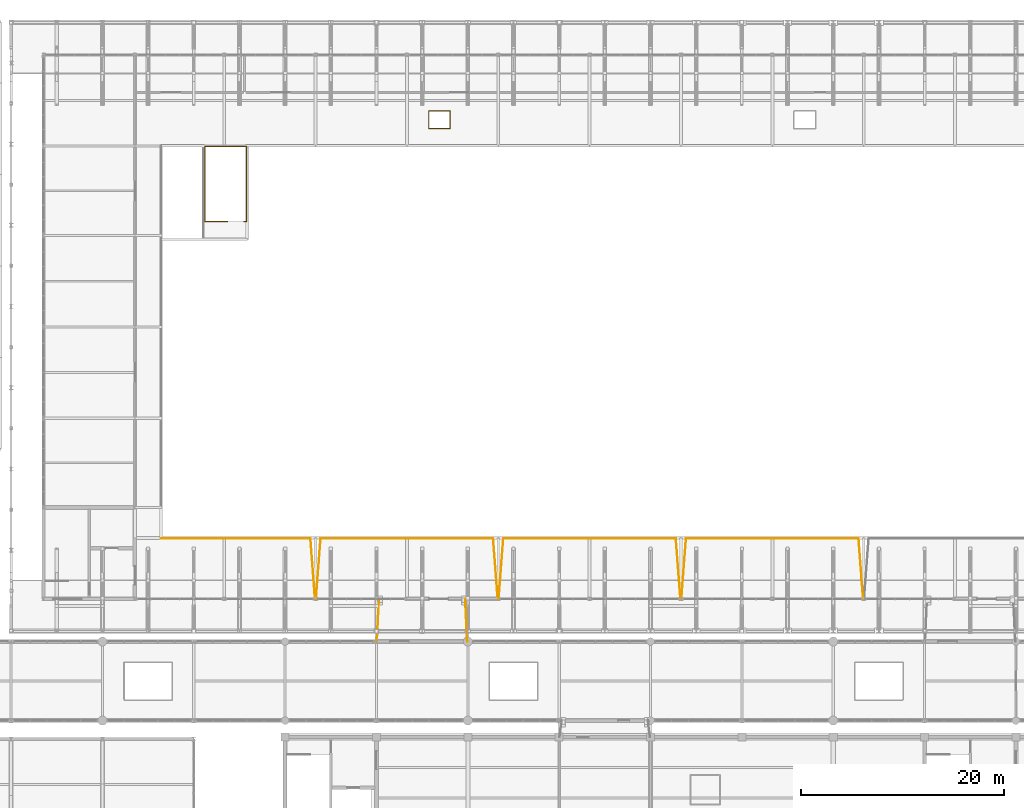
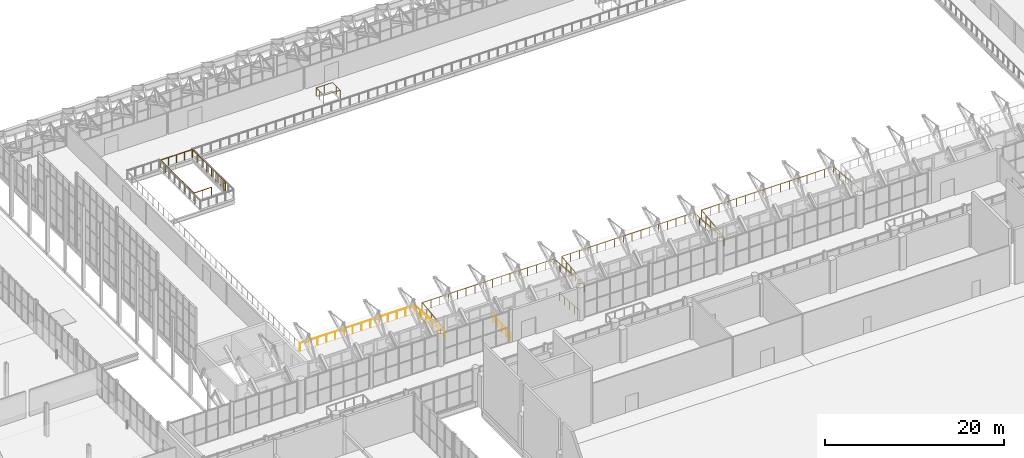
# One storey, part 132 of 134: 8 railings.
"""IFC4 building model written with IfcOpenShell, lengths in metres."""

from ifc_helpers import new_model, si_unit, direction, frame, origin, origin_2d, place, context, subcontext, project, spatial, circle, extrude, material, type_object, element, save


model = new_model("IFC4")

# Units and contexts
model_context = context("Model", 3, precision=1e-05, world=origin(), true_north=direction((0.0, 1.0)))
body_context = subcontext(model_context, "Body", "Model", "MODEL_VIEW")
ifc_project = project(units=[si_unit("LENGTHUNIT", "METRE"), si_unit("AREAUNIT", "SQUARE_METRE"), si_unit("VOLUMEUNIT", "CUBIC_METRE"), si_unit("PLANEANGLEUNIT", "RADIAN"), si_unit("MASSUNIT", "GRAM", prefix="KILO")], contexts=[model_context])

# Site, building, storey
site_placement = place(None, origin())
site = spatial("IfcSite", under=ifc_project, at=site_placement, CompositionType="ELEMENT")
building_placement = place(site_placement, origin())
building = spatial("IfcBuilding", under=site, at=building_placement, Name="Cazmaro Siding Exhibition Halls", CompositionType="ELEMENT")
storey_placement = place(building_placement, frame((0.0, 0.0, 12.0)))
storey = spatial("IfcBuildingStorey", under=building, at=storey_placement, Name="L02", CompositionType="ELEMENT", Elevation=12.0)

# Railings
ifc_material_1 = material(Name="Laminated Glass and Brushed Stainless Steel Balustrade", Category="steel")
railing_type_1 = type_object("IfcRailingType", Name="RL-BAL-01", PredefinedType="BALUSTRADE", material=ifc_material_1)
railing_1_placement = place(storey_placement, frame((81.050048828125, 63.0, 0.0)))
element("IfcRailing", 1, at=railing_1_placement, inside=storey, type_object=railing_type_1, Name="Bridge SB-01 West Guard L02 RL-BAL-01 RL-G041", PredefinedType="BALUSTRADE", context=body_context, shape_type="SweptSolid", body=[
    extrude(circle(Radius=0.02392578125, at=origin_2d()), frame((0.0, 0.0, 1.09619140625), z_axis=(0.047554114695, 0.998868663126, 0.0), x_axis=(-0.998868663126, 0.047554114695, 0.0)), (0.0, 0.0, 1.0), 4.20458984375),
    extrude(circle(Radius=0.02099609375, at=origin_2d()), origin(), (0.0, 0.0, 1.0), 1.072021484375),
    extrude(circle(Radius=0.02099609375, at=origin_2d()), frame((0.050048828125, 1.050048828125, 0.0)), (0.0, 0.0, 1.0), 1.072021484375),
    extrude(circle(Radius=0.02099609375, at=origin_2d()), frame((0.10009765625, 2.10009765625, 0.0)), (0.0, 0.0, 1.0), 1.072021484375),
    extrude(circle(Radius=0.02099609375, at=origin_2d()), frame((0.14990234375, 3.14990234375, 0.0)), (0.0, 0.0, 1.0), 1.072021484375),
    extrude(circle(Radius=0.02099609375, at=origin_2d()), frame((0.199951171875, 4.199951171875, 0.0)), (0.0, 0.0, 1.0), 1.072021484375),
])
railing_2_placement = place(storey_placement, frame((89.949951171875, 63.0, 0.0)))
element("IfcRailing", 2, at=railing_2_placement, inside=storey, type_object=railing_type_1, Name="Bridge SB-01 East Guard L02 RL-BAL-01 RL-G042", PredefinedType="BALUSTRADE", context=body_context, shape_type="SweptSolid", body=[
    extrude(circle(Radius=0.02392578125, at=origin_2d()), frame((0.0, 0.0, 1.09619140625), z_axis=(-0.047554114695, 0.998868663126, 0.0), x_axis=(-0.998868663126, -0.047554114695, 0.0)), (0.0, 0.0, 1.0), 4.20458984375),
    extrude(circle(Radius=0.02099609375, at=origin_2d()), origin(), (0.0, 0.0, 1.0), 1.072021484375),
    extrude(circle(Radius=0.02099609375, at=origin_2d()), frame((-0.050048828125, 1.050048828125, 0.0)), (0.0, 0.0, 1.0), 1.072021484375),
    extrude(circle(Radius=0.02099609375, at=origin_2d()), frame((-0.10009765625, 2.10009765625, 0.0)), (0.0, 0.0, 1.0), 1.072021484375),
    extrude(circle(Radius=0.02099609375, at=origin_2d()), frame((-0.14990234375, 3.14990234375, 0.0)), (0.0, 0.0, 1.0), 1.072021484375),
    extrude(circle(Radius=0.02099609375, at=origin_2d()), frame((-0.199951171875, 4.199951171875, 0.0)), (0.0, 0.0, 1.0), 1.072021484375),
])
ifc_material_2 = material(Name="Interior Laminated Glass and Brushed Stainless Steel Balustrade", Category="steel")
railing_type_2 = type_object("IfcRailingType", Name="RL-BAL-02", PredefinedType="BALUSTRADE", material=ifc_material_2)
railing_3_placement = place(storey_placement, frame((59.75, 73.14990234375, 0.0)))
element("IfcRailing", 3, at=railing_3_placement, inside=storey, type_object=railing_type_2, Name="Hall A South Catwalk Guard L02 RL-BAL-02 RL-G033", PredefinedType="BALUSTRADE", context=body_context, shape_type="SweptSolid", body=[
    extrude(circle(Radius=0.02392578125, at=origin_2d()), frame((0.0, 0.0, 1.09619140625), z_axis=(1.0, 0.0, 0.0), x_axis=(0.0, 1.0, 0.0)), (0.0, 0.0, 1.0), 14.75),
    extrude(circle(Radius=0.02392578125, at=origin_2d()), frame((14.75, 0.0, 1.09619140625), z_axis=(0.076043350844, -0.997104512472, 0.0), x_axis=(0.997104512472, 0.076043350844, 0.0)), (0.0, 0.0, 1.0), 5.9169921875),
    extrude(circle(Radius=0.02099609375, at=origin_2d()), origin(), (0.0, 0.0, 1.0), 1.072021484375),
    extrude(circle(Radius=0.02099609375, at=origin_2d()), frame((1.134521484375, 0.0, 0.0)), (0.0, 0.0, 1.0), 1.072021484375),
    extrude(circle(Radius=0.02099609375, at=origin_2d()), frame((2.269287109375, 0.0, 0.0)), (0.0, 0.0, 1.0), 1.072021484375),
    extrude(circle(Radius=0.02099609375, at=origin_2d()), frame((3.40380859375, 0.0, 0.0)), (0.0, 0.0, 1.0), 1.072021484375),
    extrude(circle(Radius=0.02099609375, at=origin_2d()), frame((4.53857421875, 0.0, 0.0)), (0.0, 0.0, 1.0), 1.072021484375),
    extrude(circle(Radius=0.02099609375, at=origin_2d()), frame((5.673095703125, 0.0, 0.0)), (0.0, 0.0, 1.0), 1.072021484375),
    extrude(circle(Radius=0.02099609375, at=origin_2d()), frame((6.8076171875, 0.0, 0.0)), (0.0, 0.0, 1.0), 1.072021484375),
    extrude(circle(Radius=0.02099609375, at=origin_2d()), frame((7.9423828125, 0.0, 0.0)), (0.0, 0.0, 1.0), 1.072021484375),
    extrude(circle(Radius=0.02099609375, at=origin_2d()), frame((9.076904296875, 0.0, 0.0)), (0.0, 0.0, 1.0), 1.072021484375),
    extrude(circle(Radius=0.02099609375, at=origin_2d()), frame((10.21142578125, 0.0, 0.0)), (0.0, 0.0, 1.0), 1.072021484375),
    extrude(circle(Radius=0.02099609375, at=origin_2d()), frame((11.34619140625, 0.0, 0.0)), (0.0, 0.0, 1.0), 1.072021484375),
    extrude(circle(Radius=0.02099609375, at=origin_2d()), frame((12.480712890625, 0.0, 0.0)), (0.0, 0.0, 1.0), 1.072021484375),
    extrude(circle(Radius=0.02099609375, at=origin_2d()), frame((13.615478515625, 0.0, 0.0)), (0.0, 0.0, 1.0), 1.072021484375),
    extrude(circle(Radius=0.02099609375, at=origin_2d()), frame((14.75, 0.0, 0.0)), (0.0, 0.0, 1.0), 1.072021484375),
    extrude(circle(Radius=0.02099609375, at=origin_2d()), frame((14.840087890625, -1.179931640625, 0.0)), (0.0, 0.0, 1.0), 1.072021484375),
    extrude(circle(Radius=0.02099609375, at=origin_2d()), frame((14.929931640625, -2.35986328125, 0.0)), (0.0, 0.0, 1.0), 1.072021484375),
    extrude(circle(Radius=0.02099609375, at=origin_2d()), frame((15.02001953125, -3.5400390625, 0.0)), (0.0, 0.0, 1.0), 1.072021484375),
    extrude(circle(Radius=0.02099609375, at=origin_2d()), frame((15.10986328125, -4.719970703125, 0.0)), (0.0, 0.0, 1.0), 1.072021484375),
    extrude(circle(Radius=0.02099609375, at=origin_2d()), frame((15.199951171875, -5.89990234375, 0.0)), (0.0, 0.0, 1.0), 1.072021484375),
])
railing_4_placement = place(storey_placement, frame((75.050048828125, 67.25, 0.0)))
element("IfcRailing", 4, at=railing_4_placement, inside=storey, type_object=railing_type_2, Name="Hall A South Catwalk Guard L02 RL-BAL-02 RL-G034", PredefinedType="BALUSTRADE", context=body_context, shape_type="SweptSolid", body=[
    extrude(circle(Radius=0.02392578125, at=origin_2d()), frame((0.0, 0.0, 1.09619140625), z_axis=(0.076043350844, 0.997104512472, 0.0), x_axis=(-0.997104512472, 0.076043350844, 0.0)), (0.0, 0.0, 1.0), 5.9169921875),
    extrude(circle(Radius=0.02392578125, at=origin_2d()), frame((0.449951171875, 5.89990234375, 1.09619140625), z_axis=(1.0, 0.0, 0.0), x_axis=(0.0, 1.0, 0.0)), (0.0, 0.0, 1.0), 17.0),
    extrude(circle(Radius=0.02392578125, at=origin_2d()), frame((17.449951171875, 5.89990234375, 1.09619140625), z_axis=(0.076043350844, -0.997104512472, 0.0), x_axis=(0.997104512472, 0.076043350844, 0.0)), (0.0, 0.0, 1.0), 5.9169921875),
    extrude(circle(Radius=0.02099609375, at=origin_2d()), origin(), (0.0, 0.0, 1.0), 1.072021484375),
    extrude(circle(Radius=0.02099609375, at=origin_2d()), frame((0.090087890625, 1.179931640625, 0.0)), (0.0, 0.0, 1.0), 1.072021484375),
    extrude(circle(Radius=0.02099609375, at=origin_2d()), frame((0.179931640625, 2.35986328125, 0.0)), (0.0, 0.0, 1.0), 1.072021484375),
    extrude(circle(Radius=0.02099609375, at=origin_2d()), frame((0.27001953125, 3.5400390625, 0.0)), (0.0, 0.0, 1.0), 1.072021484375),
    extrude(circle(Radius=0.02099609375, at=origin_2d()), frame((0.35986328125, 4.719970703125, 0.0)), (0.0, 0.0, 1.0), 1.072021484375),
    extrude(circle(Radius=0.02099609375, at=origin_2d()), frame((0.449951171875, 5.89990234375, 0.0)), (0.0, 0.0, 1.0), 1.072021484375),
    extrude(circle(Radius=0.02099609375, at=origin_2d()), frame((1.583251953125, 5.89990234375, 0.0)), (0.0, 0.0, 1.0), 1.072021484375),
    extrude(circle(Radius=0.02099609375, at=origin_2d()), frame((2.716552734375, 5.89990234375, 0.0)), (0.0, 0.0, 1.0), 1.072021484375),
    extrude(circle(Radius=0.02099609375, at=origin_2d()), frame((3.849853515625, 5.89990234375, 0.0)), (0.0, 0.0, 1.0), 1.072021484375),
    extrude(circle(Radius=0.02099609375, at=origin_2d()), frame((4.9833984375, 5.89990234375, 0.0)), (0.0, 0.0, 1.0), 1.072021484375),
    extrude(circle(Radius=0.02099609375, at=origin_2d()), frame((6.11669921875, 5.89990234375, 0.0)), (0.0, 0.0, 1.0), 1.072021484375),
    extrude(circle(Radius=0.02099609375, at=origin_2d()), frame((7.25, 5.89990234375, 0.0)), (0.0, 0.0, 1.0), 1.072021484375),
    extrude(circle(Radius=0.02099609375, at=origin_2d()), frame((8.38330078125, 5.89990234375, 0.0)), (0.0, 0.0, 1.0), 1.072021484375),
    extrude(circle(Radius=0.02099609375, at=origin_2d()), frame((9.5166015625, 5.89990234375, 0.0)), (0.0, 0.0, 1.0), 1.072021484375),
    extrude(circle(Radius=0.02099609375, at=origin_2d()), frame((10.64990234375, 5.89990234375, 0.0)), (0.0, 0.0, 1.0), 1.072021484375),
    extrude(circle(Radius=0.02099609375, at=origin_2d()), frame((11.783203125, 5.89990234375, 0.0)), (0.0, 0.0, 1.0), 1.072021484375),
    extrude(circle(Radius=0.02099609375, at=origin_2d()), frame((12.91650390625, 5.89990234375, 0.0)), (0.0, 0.0, 1.0), 1.072021484375),
    extrude(circle(Radius=0.02099609375, at=origin_2d()), frame((14.050048828125, 5.89990234375, 0.0)), (0.0, 0.0, 1.0), 1.072021484375),
    extrude(circle(Radius=0.02099609375, at=origin_2d()), frame((15.183349609375, 5.89990234375, 0.0)), (0.0, 0.0, 1.0), 1.072021484375),
    extrude(circle(Radius=0.02099609375, at=origin_2d()), frame((16.316650390625, 5.89990234375, 0.0)), (0.0, 0.0, 1.0), 1.072021484375),
    extrude(circle(Radius=0.02099609375, at=origin_2d()), frame((17.449951171875, 5.89990234375, 0.0)), (0.0, 0.0, 1.0), 1.072021484375),
    extrude(circle(Radius=0.02099609375, at=origin_2d()), frame((17.5400390625, 4.719970703125, 0.0)), (0.0, 0.0, 1.0), 1.072021484375),
    extrude(circle(Radius=0.02099609375, at=origin_2d()), frame((17.6298828125, 3.5400390625, 0.0)), (0.0, 0.0, 1.0), 1.072021484375),
    extrude(circle(Radius=0.02099609375, at=origin_2d()), frame((17.719970703125, 2.35986328125, 0.0)), (0.0, 0.0, 1.0), 1.072021484375),
    extrude(circle(Radius=0.02099609375, at=origin_2d()), frame((17.809814453125, 1.179931640625, 0.0)), (0.0, 0.0, 1.0), 1.072021484375),
    extrude(circle(Radius=0.02099609375, at=origin_2d()), frame((17.89990234375, 0.0, 0.0)), (0.0, 0.0, 1.0), 1.072021484375),
])
railing_5_placement = place(storey_placement, frame((93.050048828125, 67.25, 0.0)))
element("IfcRailing", 5, at=railing_5_placement, inside=storey, type_object=railing_type_2, Name="Hall A South Catwalk Guard L02 RL-BAL-02 RL-G035", PredefinedType="BALUSTRADE", context=body_context, shape_type="SweptSolid", body=[
    extrude(circle(Radius=0.02392578125, at=origin_2d()), frame((0.0, 0.0, 1.09619140625), z_axis=(0.076043350844, 0.997104512472, 0.0), x_axis=(-0.997104512472, 0.076043350844, 0.0)), (0.0, 0.0, 1.0), 5.9169921875),
    extrude(circle(Radius=0.02392578125, at=origin_2d()), frame((0.449951171875, 5.89990234375, 1.09619140625), z_axis=(1.0, 0.0, 0.0), x_axis=(0.0, 1.0, 0.0)), (0.0, 0.0, 1.0), 17.0),
    extrude(circle(Radius=0.02392578125, at=origin_2d()), frame((17.449951171875, 5.89990234375, 1.09619140625), z_axis=(0.076043350844, -0.997104512472, 0.0), x_axis=(0.997104512472, 0.076043350844, 0.0)), (0.0, 0.0, 1.0), 5.9169921875),
    extrude(circle(Radius=0.02099609375, at=origin_2d()), origin(), (0.0, 0.0, 1.0), 1.072021484375),
    extrude(circle(Radius=0.02099609375, at=origin_2d()), frame((0.090087890625, 1.179931640625, 0.0)), (0.0, 0.0, 1.0), 1.072021484375),
    extrude(circle(Radius=0.02099609375, at=origin_2d()), frame((0.179931640625, 2.35986328125, 0.0)), (0.0, 0.0, 1.0), 1.072021484375),
    extrude(circle(Radius=0.02099609375, at=origin_2d()), frame((0.27001953125, 3.5400390625, 0.0)), (0.0, 0.0, 1.0), 1.072021484375),
    extrude(circle(Radius=0.02099609375, at=origin_2d()), frame((0.35986328125, 4.719970703125, 0.0)), (0.0, 0.0, 1.0), 1.072021484375),
    extrude(circle(Radius=0.02099609375, at=origin_2d()), frame((0.449951171875, 5.89990234375, 0.0)), (0.0, 0.0, 1.0), 1.072021484375),
    extrude(circle(Radius=0.02099609375, at=origin_2d()), frame((1.583251953125, 5.89990234375, 0.0)), (0.0, 0.0, 1.0), 1.072021484375),
    extrude(circle(Radius=0.02099609375, at=origin_2d()), frame((2.716552734375, 5.89990234375, 0.0)), (0.0, 0.0, 1.0), 1.072021484375),
    extrude(circle(Radius=0.02099609375, at=origin_2d()), frame((3.849853515625, 5.89990234375, 0.0)), (0.0, 0.0, 1.0), 1.072021484375),
    extrude(circle(Radius=0.02099609375, at=origin_2d()), frame((4.9833984375, 5.89990234375, 0.0)), (0.0, 0.0, 1.0), 1.072021484375),
    extrude(circle(Radius=0.02099609375, at=origin_2d()), frame((6.11669921875, 5.89990234375, 0.0)), (0.0, 0.0, 1.0), 1.072021484375),
    extrude(circle(Radius=0.02099609375, at=origin_2d()), frame((7.25, 5.89990234375, 0.0)), (0.0, 0.0, 1.0), 1.072021484375),
    extrude(circle(Radius=0.02099609375, at=origin_2d()), frame((8.38330078125, 5.89990234375, 0.0)), (0.0, 0.0, 1.0), 1.072021484375),
    extrude(circle(Radius=0.02099609375, at=origin_2d()), frame((9.5166015625, 5.89990234375, 0.0)), (0.0, 0.0, 1.0), 1.072021484375),
    extrude(circle(Radius=0.02099609375, at=origin_2d()), frame((10.64990234375, 5.89990234375, 0.0)), (0.0, 0.0, 1.0), 1.072021484375),
    extrude(circle(Radius=0.02099609375, at=origin_2d()), frame((11.783203125, 5.89990234375, 0.0)), (0.0, 0.0, 1.0), 1.072021484375),
    extrude(circle(Radius=0.02099609375, at=origin_2d()), frame((12.91650390625, 5.89990234375, 0.0)), (0.0, 0.0, 1.0), 1.072021484375),
    extrude(circle(Radius=0.02099609375, at=origin_2d()), frame((14.050048828125, 5.89990234375, 0.0)), (0.0, 0.0, 1.0), 1.072021484375),
    extrude(circle(Radius=0.02099609375, at=origin_2d()), frame((15.183349609375, 5.89990234375, 0.0)), (0.0, 0.0, 1.0), 1.072021484375),
    extrude(circle(Radius=0.02099609375, at=origin_2d()), frame((16.316650390625, 5.89990234375, 0.0)), (0.0, 0.0, 1.0), 1.072021484375),
    extrude(circle(Radius=0.02099609375, at=origin_2d()), frame((17.449951171875, 5.89990234375, 0.0)), (0.0, 0.0, 1.0), 1.072021484375),
    extrude(circle(Radius=0.02099609375, at=origin_2d()), frame((17.5400390625, 4.719970703125, 0.0)), (0.0, 0.0, 1.0), 1.072021484375),
    extrude(circle(Radius=0.02099609375, at=origin_2d()), frame((17.6298828125, 3.5400390625, 0.0)), (0.0, 0.0, 1.0), 1.072021484375),
    extrude(circle(Radius=0.02099609375, at=origin_2d()), frame((17.719970703125, 2.35986328125, 0.0)), (0.0, 0.0, 1.0), 1.072021484375),
    extrude(circle(Radius=0.02099609375, at=origin_2d()), frame((17.809814453125, 1.179931640625, 0.0)), (0.0, 0.0, 1.0), 1.072021484375),
    extrude(circle(Radius=0.02099609375, at=origin_2d()), frame((17.89990234375, 0.0, 0.0)), (0.0, 0.0, 1.0), 1.072021484375),
])
railing_6_placement = place(storey_placement, frame((111.050048828125, 67.25, 0.0)))
element("IfcRailing", 6, at=railing_6_placement, inside=storey, type_object=railing_type_2, Name="Hall A South Catwalk Guard L02 RL-BAL-02 RL-G036", PredefinedType="BALUSTRADE", context=body_context, shape_type="SweptSolid", body=[
    extrude(circle(Radius=0.02392578125, at=origin_2d()), frame((0.0, 0.0, 1.09619140625), z_axis=(0.076043350844, 0.997104512472, 0.0), x_axis=(-0.997104512472, 0.076043350844, 0.0)), (0.0, 0.0, 1.0), 5.9169921875),
    extrude(circle(Radius=0.02392578125, at=origin_2d()), frame((0.449951171875, 5.89990234375, 1.09619140625), z_axis=(1.0, 0.0, 0.0), x_axis=(0.0, 1.0, 0.0)), (0.0, 0.0, 1.0), 17.0),
    extrude(circle(Radius=0.02392578125, at=origin_2d()), frame((17.449951171875, 5.89990234375, 1.09619140625), z_axis=(0.076043350844, -0.997104512472, 0.0), x_axis=(0.997104512472, 0.076043350844, 0.0)), (0.0, 0.0, 1.0), 5.9169921875),
    extrude(circle(Radius=0.02099609375, at=origin_2d()), origin(), (0.0, 0.0, 1.0), 1.072021484375),
    extrude(circle(Radius=0.02099609375, at=origin_2d()), frame((0.090087890625, 1.179931640625, 0.0)), (0.0, 0.0, 1.0), 1.072021484375),
    extrude(circle(Radius=0.02099609375, at=origin_2d()), frame((0.179931640625, 2.35986328125, 0.0)), (0.0, 0.0, 1.0), 1.072021484375),
    extrude(circle(Radius=0.02099609375, at=origin_2d()), frame((0.27001953125, 3.5400390625, 0.0)), (0.0, 0.0, 1.0), 1.072021484375),
    extrude(circle(Radius=0.02099609375, at=origin_2d()), frame((0.35986328125, 4.719970703125, 0.0)), (0.0, 0.0, 1.0), 1.072021484375),
    extrude(circle(Radius=0.02099609375, at=origin_2d()), frame((0.449951171875, 5.89990234375, 0.0)), (0.0, 0.0, 1.0), 1.072021484375),
    extrude(circle(Radius=0.02099609375, at=origin_2d()), frame((1.583251953125, 5.89990234375, 0.0)), (0.0, 0.0, 1.0), 1.072021484375),
    extrude(circle(Radius=0.02099609375, at=origin_2d()), frame((2.716552734375, 5.89990234375, 0.0)), (0.0, 0.0, 1.0), 1.072021484375),
    extrude(circle(Radius=0.02099609375, at=origin_2d()), frame((3.849853515625, 5.89990234375, 0.0)), (0.0, 0.0, 1.0), 1.072021484375),
    extrude(circle(Radius=0.02099609375, at=origin_2d()), frame((4.9833984375, 5.89990234375, 0.0)), (0.0, 0.0, 1.0), 1.072021484375),
    extrude(circle(Radius=0.02099609375, at=origin_2d()), frame((6.11669921875, 5.89990234375, 0.0)), (0.0, 0.0, 1.0), 1.072021484375),
    extrude(circle(Radius=0.02099609375, at=origin_2d()), frame((7.25, 5.89990234375, 0.0)), (0.0, 0.0, 1.0), 1.072021484375),
    extrude(circle(Radius=0.02099609375, at=origin_2d()), frame((8.38330078125, 5.89990234375, 0.0)), (0.0, 0.0, 1.0), 1.072021484375),
    extrude(circle(Radius=0.02099609375, at=origin_2d()), frame((9.5166015625, 5.89990234375, 0.0)), (0.0, 0.0, 1.0), 1.072021484375),
    extrude(circle(Radius=0.02099609375, at=origin_2d()), frame((10.64990234375, 5.89990234375, 0.0)), (0.0, 0.0, 1.0), 1.072021484375),
    extrude(circle(Radius=0.02099609375, at=origin_2d()), frame((11.783203125, 5.89990234375, 0.0)), (0.0, 0.0, 1.0), 1.072021484375),
    extrude(circle(Radius=0.02099609375, at=origin_2d()), frame((12.91650390625, 5.89990234375, 0.0)), (0.0, 0.0, 1.0), 1.072021484375),
    extrude(circle(Radius=0.02099609375, at=origin_2d()), frame((14.050048828125, 5.89990234375, 0.0)), (0.0, 0.0, 1.0), 1.072021484375),
    extrude(circle(Radius=0.02099609375, at=origin_2d()), frame((15.183349609375, 5.89990234375, 0.0)), (0.0, 0.0, 1.0), 1.072021484375),
    extrude(circle(Radius=0.02099609375, at=origin_2d()), frame((16.316650390625, 5.89990234375, 0.0)), (0.0, 0.0, 1.0), 1.072021484375),
    extrude(circle(Radius=0.02099609375, at=origin_2d()), frame((17.449951171875, 5.89990234375, 0.0)), (0.0, 0.0, 1.0), 1.072021484375),
    extrude(circle(Radius=0.02099609375, at=origin_2d()), frame((17.5400390625, 4.719970703125, 0.0)), (0.0, 0.0, 1.0), 1.072021484375),
    extrude(circle(Radius=0.02099609375, at=origin_2d()), frame((17.6298828125, 3.5400390625, 0.0)), (0.0, 0.0, 1.0), 1.072021484375),
    extrude(circle(Radius=0.02099609375, at=origin_2d()), frame((17.719970703125, 2.35986328125, 0.0)), (0.0, 0.0, 1.0), 1.072021484375),
    extrude(circle(Radius=0.02099609375, at=origin_2d()), frame((17.809814453125, 1.179931640625, 0.0)), (0.0, 0.0, 1.0), 1.072021484375),
    extrude(circle(Radius=0.02099609375, at=origin_2d()), frame((17.89990234375, 0.0, 0.0)), (0.0, 0.0, 1.0), 1.072021484375),
])
railing_7_placement = place(storey_placement, frame((86.14990234375, 113.550048828125, 0.0)))
element("IfcRailing", 7, at=railing_7_placement, inside=storey, type_object=railing_type_2, Name="Gallery Void Guard L02 RL-BAL-02 RL-G039", PredefinedType="BALUSTRADE", context=body_context, shape_type="SweptSolid", body=[
    extrude(circle(Radius=0.02392578125, at=origin_2d()), frame((0.0, 0.0, 1.09619140625), z_axis=(1.0, 0.0, 0.0), x_axis=(0.0, 1.0, 0.0)), (0.0, 0.0, 1.0), 2.10009765625),
    extrude(circle(Radius=0.02392578125, at=origin_2d()), frame((2.10009765625, 0.0, 1.09619140625), z_axis=(0.0, 1.0, 0.0), x_axis=(-1.0, 0.0, 0.0)), (0.0, 0.0, 1.0), 1.699951171875),
    extrude(circle(Radius=0.02392578125, at=origin_2d()), frame((2.10009765625, 1.699951171875, 1.09619140625), z_axis=(-1.0, 0.0, 0.0), x_axis=(0.0, -1.0, 0.0)), (0.0, 0.0, 1.0), 2.10009765625),
    extrude(circle(Radius=0.02392578125, at=origin_2d()), frame((0.0, 1.699951171875, 1.09619140625), z_axis=(0.0, -1.0, 0.0), x_axis=(1.0, 0.0, 0.0)), (0.0, 0.0, 1.0), 1.639892578125),
    extrude(circle(Radius=0.02099609375, at=origin_2d()), origin(), (0.0, 0.0, 1.0), 1.072021484375),
    extrude(circle(Radius=0.02099609375, at=origin_2d()), frame((1.050048828125, 0.0, 0.0)), (0.0, 0.0, 1.0), 1.072021484375),
    extrude(circle(Radius=0.02099609375, at=origin_2d()), frame((2.10009765625, 0.0, 0.0)), (0.0, 0.0, 1.0), 1.072021484375),
    extrude(circle(Radius=0.02099609375, at=origin_2d()), frame((2.10009765625, 0.85009765625, 0.0)), (0.0, 0.0, 1.0), 1.072021484375),
    extrude(circle(Radius=0.02099609375, at=origin_2d()), frame((2.10009765625, 1.699951171875, 0.0)), (0.0, 0.0, 1.0), 1.072021484375),
    extrude(circle(Radius=0.02099609375, at=origin_2d()), frame((1.050048828125, 1.699951171875, 0.0)), (0.0, 0.0, 1.0), 1.072021484375),
    extrude(circle(Radius=0.02099609375, at=origin_2d()), frame((0.0, 1.699951171875, 0.0)), (0.0, 0.0, 1.0), 1.072021484375),
    extrude(circle(Radius=0.02099609375, at=origin_2d()), frame((0.0, 0.8798828125, 0.0)), (0.0, 0.0, 1.0), 1.072021484375),
    extrude(circle(Radius=0.02099609375, at=origin_2d()), frame((0.0, 0.06005859375, 0.0)), (0.0, 0.0, 1.0), 1.072021484375),
])
ifc_material_3 = material(Name="Painted Steel Stairwell Guardrail", Category="steel")
railing_type_3 = type_object("IfcRailingType", Name="RL-GRD-01", PredefinedType="GUARDRAIL", material=ifc_material_3)
railing_8_placement = place(storey_placement, frame((66.344970703125, 104.360107421875, 0.0)))
element("IfcRailing", 8, at=railing_8_placement, inside=storey, type_object=railing_type_3, Name="ST-23 Upper Stairwell Guard RL-GRD-01 RL-SG048", PredefinedType="GUARDRAIL", context=body_context, shape_type="SweptSolid", body=[
    extrude(circle(Radius=0.02392578125, at=origin_2d()), frame((0.0, 0.0, 1.09619140625), z_axis=(-1.0, 0.0, 0.0), x_axis=(0.0, -1.0, 0.0)), (0.0, 0.0, 1.0), 2.23486328125),
    extrude(circle(Radius=0.02392578125, at=origin_2d()), frame((-2.23486328125, 0.0, 1.09619140625), z_axis=(0.0, 1.0, 0.0), x_axis=(-1.0, 0.0, 0.0)), (0.0, 0.0, 1.0), 7.429931640625),
    extrude(circle(Radius=0.02392578125, at=origin_2d()), frame((-2.23486328125, 7.429931640625, 1.09619140625), z_axis=(1.0, 0.0, 0.0), x_axis=(0.0, 1.0, 0.0)), (0.0, 0.0, 1.0), 4.079833984375),
    extrude(circle(Radius=0.02392578125, at=origin_2d()), frame((1.844970703125, 7.429931640625, 1.09619140625), z_axis=(0.0, -1.0, 0.0), x_axis=(1.0, 0.0, 0.0)), (0.0, 0.0, 1.0), 7.429931640625),
    extrude(circle(Radius=0.02392578125, at=origin_2d()), frame((1.844970703125, 0.0, 1.09619140625), z_axis=(-1.0, 0.0, 0.0), x_axis=(0.0, -1.0, 0.0)), (0.0, 0.0, 1.0), 0.23486328125),
    extrude(circle(Radius=0.02099609375, at=origin_2d()), origin(), (0.0, 0.0, 1.0), 1.072021484375),
    extrude(circle(Radius=0.02099609375, at=origin_2d()), frame((-1.117431640625, 0.0, 0.0)), (0.0, 0.0, 1.0), 1.072021484375),
    extrude(circle(Radius=0.02099609375, at=origin_2d()), frame((-2.23486328125, 0.0, 0.0)), (0.0, 0.0, 1.0), 1.072021484375),
    extrude(circle(Radius=0.02099609375, at=origin_2d()), frame((-2.23486328125, 1.0615234375, 0.0)), (0.0, 0.0, 1.0), 1.072021484375),
    extrude(circle(Radius=0.02099609375, at=origin_2d()), frame((-2.23486328125, 2.122802734375, 0.0)), (0.0, 0.0, 1.0), 1.072021484375),
    extrude(circle(Radius=0.02099609375, at=origin_2d()), frame((-2.23486328125, 3.184326171875, 0.0)), (0.0, 0.0, 1.0), 1.072021484375),
    extrude(circle(Radius=0.02099609375, at=origin_2d()), frame((-2.23486328125, 4.24560546875, 0.0)), (0.0, 0.0, 1.0), 1.072021484375),
    extrude(circle(Radius=0.02099609375, at=origin_2d()), frame((-2.23486328125, 5.30712890625, 0.0)), (0.0, 0.0, 1.0), 1.072021484375),
    extrude(circle(Radius=0.02099609375, at=origin_2d()), frame((-2.23486328125, 6.368408203125, 0.0)), (0.0, 0.0, 1.0), 1.072021484375),
    extrude(circle(Radius=0.02099609375, at=origin_2d()), frame((-2.23486328125, 7.429931640625, 0.0)), (0.0, 0.0, 1.0), 1.072021484375),
    extrude(circle(Radius=0.02099609375, at=origin_2d()), frame((-1.21484375, 7.429931640625, 0.0)), (0.0, 0.0, 1.0), 1.072021484375),
    extrude(circle(Radius=0.02099609375, at=origin_2d()), frame((-0.19482421875, 7.429931640625, 0.0)), (0.0, 0.0, 1.0), 1.072021484375),
    extrude(circle(Radius=0.02099609375, at=origin_2d()), frame((0.824951171875, 7.429931640625, 0.0)), (0.0, 0.0, 1.0), 1.072021484375),
    extrude(circle(Radius=0.02099609375, at=origin_2d()), frame((1.844970703125, 7.429931640625, 0.0)), (0.0, 0.0, 1.0), 1.072021484375),
    extrude(circle(Radius=0.02099609375, at=origin_2d()), frame((1.844970703125, 6.368408203125, 0.0)), (0.0, 0.0, 1.0), 1.072021484375),
    extrude(circle(Radius=0.02099609375, at=origin_2d()), frame((1.844970703125, 5.30712890625, 0.0)), (0.0, 0.0, 1.0), 1.072021484375),
    extrude(circle(Radius=0.02099609375, at=origin_2d()), frame((1.844970703125, 4.24560546875, 0.0)), (0.0, 0.0, 1.0), 1.072021484375),
    extrude(circle(Radius=0.02099609375, at=origin_2d()), frame((1.844970703125, 3.184326171875, 0.0)), (0.0, 0.0, 1.0), 1.072021484375),
    extrude(circle(Radius=0.02099609375, at=origin_2d()), frame((1.844970703125, 2.122802734375, 0.0)), (0.0, 0.0, 1.0), 1.072021484375),
    extrude(circle(Radius=0.02099609375, at=origin_2d()), frame((1.844970703125, 1.0615234375, 0.0)), (0.0, 0.0, 1.0), 1.072021484375),
    extrude(circle(Radius=0.02099609375, at=origin_2d()), frame((1.844970703125, 0.0, 0.0)), (0.0, 0.0, 1.0), 1.072021484375),
    extrude(circle(Radius=0.02099609375, at=origin_2d()), frame((1.610107421875, 0.0, 0.0)), (0.0, 0.0, 1.0), 1.072021484375),
])

save(model, "model.ifc")
